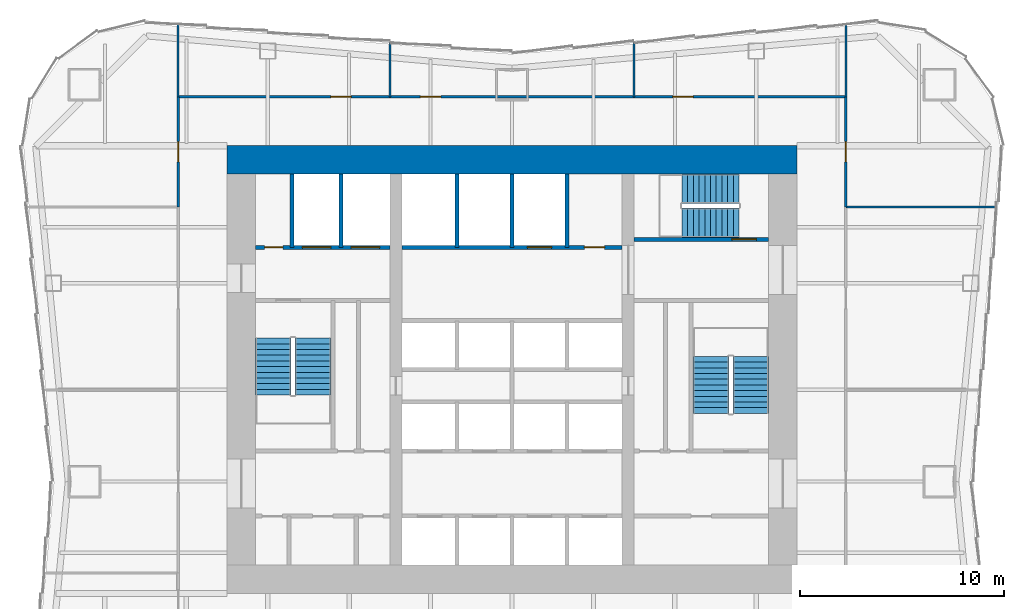
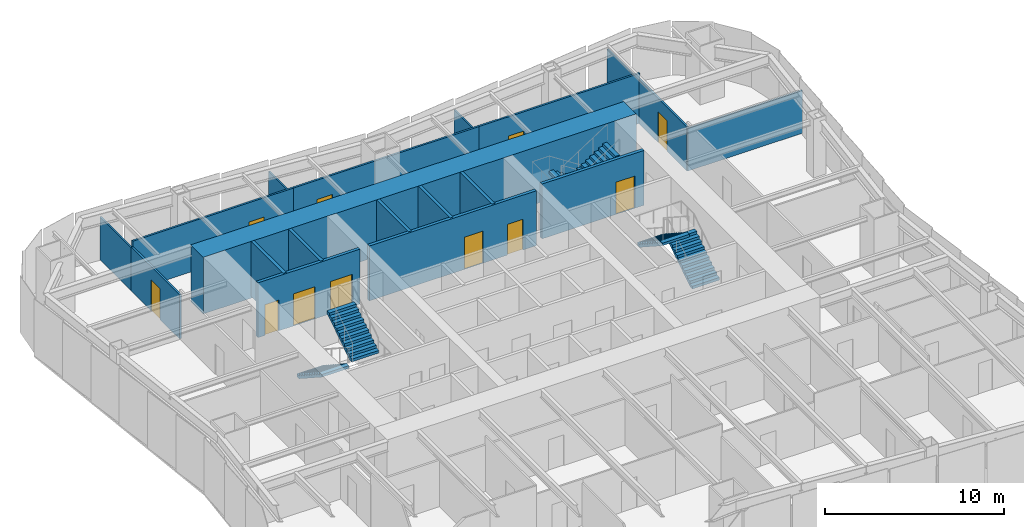
# One storey, part 6 of 7: 19 walls, 11 doors, 6 stair flights, 11 openings, 3 elements without a shape of their own.
"""IFC4 building model written with IfcOpenShell, lengths in metres."""

from ifc_helpers import new_model, si_unit, direction, frame, frame_2d, origin, place, context, subcontext, project, spatial, polyline, rectangle, outline, extrude, material, layer, layer_set, type_object, element, fill, aggregate, save


model = new_model("IFC4")

# Units and contexts
model_context = context("Model", 3, precision=1e-05, world=origin(), true_north=direction((0.0, 1.0)))
body_context = subcontext(model_context, "Body", "Model", "MODEL_VIEW")
ifc_project = project(units=[si_unit("LENGTHUNIT", "METRE"), si_unit("AREAUNIT", "SQUARE_METRE"), si_unit("VOLUMEUNIT", "CUBIC_METRE"), si_unit("PLANEANGLEUNIT", "RADIAN"), si_unit("MASSUNIT", "GRAM", prefix="KILO")], contexts=[model_context])

# Site, building, storey
site_placement = place(None, origin())
site = spatial("IfcSite", under=ifc_project, at=site_placement, CompositionType="ELEMENT")
building_placement = place(site_placement, origin())
building = spatial("IfcBuilding", under=site, at=building_placement, Name="Verdant Reach Tower", CompositionType="ELEMENT")
storey_placement = place(building_placement, frame((0.0, 0.0, 54.0)))
storey = spatial("IfcBuildingStorey", under=building, at=storey_placement, Name="L12", CompositionType="ELEMENT", Elevation=54.0)

# Wall, openings, doors
ifc_material_1 = material(Name="Concrete C40/50", Category="concrete")
ifc_layer_1 = layer(ifc_material_1, 0.199951171875)
ifc_layer_set_1 = layer_set([ifc_layer_1], Name="CO-WALL-SHAFT")
wall_type_1 = type_object("IfcWallType", Name="CO-WALL-SHAFT", PredefinedType="PARTITIONING", material=ifc_layer_set_1)
wall_1_placement = place(storey_placement, frame((-12.60009765625, 34.0, 0.0), z_axis=(0.0, 0.0, 1.0), x_axis=(1.0, 0.0, 0.0)))
wall_1 = element("IfcWall", 1, at=wall_1_placement, inside=storey, type_object=wall_type_1, Name="Lift shaft wall, L12", PredefinedType="PARTITIONING", context=body_context, shape_type="SweptSolid", body=[
    extrude(rectangle(XDim=6.60009765625, YDim=0.199951171875, at=frame_2d((3.300048828125, 0.0))), origin(), (0.0, 0.0, 1.0), 3.75),
])
opening_1_placement = place(wall_1_placement, frame((4.699951171875, 0.0, 0.0)))
opening_1 = element("IfcOpeningElement", 2, at=opening_1_placement, cuts=wall_1, Name="Opening LD-F1", PredefinedType="OPENING", context=body_context, shape_type="SweptSolid", body=[
    extrude(rectangle(XDim=1.39990234375, YDim=2.199951171875, at=frame_2d((0.699951171875, 1.10009765625))), frame((0.0, 0.10986328125, 0.0), z_axis=(0.0, -1.0, 0.0), x_axis=(1.0, 0.0, 0.0)), (0.0, 0.0, 1.0), 0.219970703125),
])
opening_2_placement = place(wall_1_placement, frame((2.300048828125, 0.0, 0.0)))
opening_2 = element("IfcOpeningElement", 3, at=opening_2_placement, cuts=wall_1, Name="Opening LD-F2", PredefinedType="OPENING", context=body_context, shape_type="SweptSolid", body=[
    extrude(rectangle(XDim=1.39990234375, YDim=2.199951171875, at=frame_2d((0.699951171875, 1.10009765625))), frame((0.0, 0.10986328125, 0.0), z_axis=(0.0, -1.0, 0.0), x_axis=(1.0, 0.0, 0.0)), (0.0, 0.0, 1.0), 0.219970703125),
])
opening_3_placement = place(wall_1_placement, frame((0.449951171875, 0.0, 0.0)))
opening_3 = element("IfcOpeningElement", 4, at=opening_3_placement, cuts=wall_1, Name="Opening RD", PredefinedType="OPENING", context=body_context, shape_type="SweptSolid", body=[
    extrude(rectangle(XDim=0.89990234375, YDim=2.10009765625, at=frame_2d((0.449951171875, 1.050048828125))), frame((0.0, 0.10986328125, 0.0), z_axis=(0.0, -1.0, 0.0), x_axis=(1.0, 0.0, 0.0)), (0.0, 0.0, 1.0), 0.219970703125),
])
ifc_material_2 = material(Name="Stainless steel", Category="steel")
door_type_1 = type_object("IfcDoorType", Name="CO-DOOR-LANDING-FF", OperationType="SLIDING_TO_LEFT", PredefinedType="DOOR", material=ifc_material_2)
door_1_placement = place(opening_1_placement, origin())
door_1 = element("IfcDoor", 5, at=door_1_placement, inside=storey, type_object=door_type_1, Name="Landing door F1, L12", OperationType="SLIDING_TO_LEFT", OverallHeight=2.199951171875, OverallWidth=1.39990234375, PredefinedType="DOOR", context=body_context, shape_type="SweptSolid", body=[
    extrude(rectangle(XDim=1.39990234375, YDim=2.199951171875, at=frame_2d((0.699951171875, 1.10009765625))), frame((0.0, 0.02490234375, 0.0), z_axis=(0.0, -1.0, 0.0), x_axis=(1.0, 0.0, 0.0)), (0.0, 0.0, 1.0), 0.050048828125),
])
fill(opening_1, door_1)
door_2_placement = place(opening_2_placement, origin())
door_2 = element("IfcDoor", 6, at=door_2_placement, inside=storey, type_object=door_type_1, Name="Landing door F2, L12", OperationType="SLIDING_TO_LEFT", OverallHeight=2.199951171875, OverallWidth=1.39990234375, PredefinedType="DOOR", context=body_context, shape_type="SweptSolid", body=[
    extrude(rectangle(XDim=1.39990234375, YDim=2.199951171875, at=frame_2d((0.699951171875, 1.10009765625))), frame((0.0, 0.02490234375, 0.0), z_axis=(0.0, -1.0, 0.0), x_axis=(1.0, 0.0, 0.0)), (0.0, 0.0, 1.0), 0.050048828125),
])
fill(opening_2, door_2)
ifc_material_3 = material(Name="Steel", Category="steel")
door_type_2 = type_object("IfcDoorType", Name="CO-DOOR-RISER", OperationType="NOTDEFINED", PredefinedType="DOOR", material=ifc_material_3)
door_3_placement = place(opening_3_placement, origin())
door_3 = element("IfcDoor", 7, at=door_3_placement, inside=storey, type_object=door_type_2, Name="Core room door, L12", OperationType="SINGLE_SWING_RIGHT", OverallHeight=2.10009765625, OverallWidth=0.89990234375, PredefinedType="DOOR", context=body_context, shape_type="SweptSolid", body=[
    extrude(rectangle(XDim=0.89990234375, YDim=2.10009765625, at=frame_2d((0.449951171875, 1.050048828125))), frame((0.0, 0.02490234375, 0.0), z_axis=(0.0, -1.0, 0.0), x_axis=(1.0, 0.0, 0.0)), (0.0, 0.0, 1.0), 0.050048828125),
])
fill(opening_3, door_3)

wall_2_placement = place(storey_placement, frame((-5.39990234375, 34.0, 0.0), z_axis=(0.0, 0.0, 1.0), x_axis=(1.0, 0.0, 0.0)))
wall_2 = element("IfcWall", 8, at=wall_2_placement, inside=storey, type_object=wall_type_1, Name="Lift shaft wall, L12", PredefinedType="PARTITIONING", context=body_context, shape_type="SweptSolid", body=[
    extrude(rectangle(XDim=10.7998046875, YDim=0.199951171875, at=frame_2d((5.39990234375, 0.0))), origin(), (0.0, 0.0, 1.0), 3.75),
])
opening_4_placement = place(wall_2_placement, frame((6.14990234375, 0.0, 0.0)))
opening_4 = element("IfcOpeningElement", 9, at=opening_4_placement, cuts=wall_2, Name="Opening LD-SL1", PredefinedType="OPENING", context=body_context, shape_type="SweptSolid", body=[
    extrude(rectangle(XDim=1.199951171875, YDim=2.199951171875, at=frame_2d((0.60009765625, 1.10009765625))), frame((0.0, 0.10986328125, 0.0), z_axis=(0.0, -1.0, 0.0), x_axis=(1.0, 0.0, 0.0)), (0.0, 0.0, 1.0), 0.219970703125),
])
opening_5_placement = place(wall_2_placement, frame((8.949951171875, 0.0, 0.0)))
opening_5 = element("IfcOpeningElement", 10, at=opening_5_placement, cuts=wall_2, Name="Opening CD", PredefinedType="OPENING", context=body_context, shape_type="SweptSolid", body=[
    extrude(rectangle(XDim=1.0, YDim=2.10009765625, at=frame_2d((0.5, 1.050048828125))), frame((0.0, 0.10986328125, 0.0), z_axis=(0.0, -1.0, 0.0), x_axis=(1.0, 0.0, 0.0)), (0.0, 0.0, 1.0), 0.219970703125),
])
door_type_3 = type_object("IfcDoorType", Name="CO-DOOR-LANDING", OperationType="SLIDING_TO_LEFT", PredefinedType="DOOR", material=ifc_material_2)
door_4_placement = place(opening_4_placement, origin())
door_4 = element("IfcDoor", 11, at=door_4_placement, inside=storey, type_object=door_type_3, Name="Landing door SL1, L12", OperationType="SLIDING_TO_LEFT", OverallHeight=2.199951171875, OverallWidth=1.199951171875, PredefinedType="DOOR", context=body_context, shape_type="SweptSolid", body=[
    extrude(rectangle(XDim=1.199951171875, YDim=2.199951171875, at=frame_2d((0.60009765625, 1.10009765625))), frame((0.0, 0.02490234375, 0.0), z_axis=(0.0, -1.0, 0.0), x_axis=(1.0, 0.0, 0.0)), (0.0, 0.0, 1.0), 0.050048828125),
])
fill(opening_4, door_4)
ifc_material_4 = material(Name="Timber", Category="wood")
door_type_4 = type_object("IfcDoorType", Name="CO-DOOR-ROOM", OperationType="NOTDEFINED", PredefinedType="DOOR", material=ifc_material_4)
door_5_placement = place(opening_5_placement, origin())
door_5 = element("IfcDoor", 12, at=door_5_placement, inside=storey, type_object=door_type_4, Name="Core room door, L12", OperationType="SINGLE_SWING_LEFT", OverallHeight=2.10009765625, OverallWidth=1.0, PredefinedType="DOOR", context=body_context, shape_type="SweptSolid", body=[
    extrude(rectangle(XDim=1.0, YDim=2.10009765625, at=frame_2d((0.5, 1.050048828125))), frame((0.0, 0.02490234375, 0.0), z_axis=(0.0, -1.0, 0.0), x_axis=(1.0, 0.0, 0.0)), (0.0, 0.0, 1.0), 0.050048828125),
])
fill(opening_5, door_5)

# Walls
for number, where, z_axis, x_axis, name in (
    (13, (-10.800048828125, 34.0, 0.0), (0.0, 0.0, 1.0), (0.0, 1.0, 0.0), "Lift shaft wall, L12"),
    (14, (-8.39990234375, 34.0, 0.0), (0.0, 0.0, 1.0), (0.0, 1.0, 0.0), "Lift shaft wall, L12"),
    (15, (-2.699951171875, 34.0, 0.0), (0.0, 0.0, 1.0), (0.0, 1.0, 0.0), "Lift shaft wall, L12"),
    (16, (0.0, 34.0, 0.0), (0.0, 0.0, 1.0), (0.0, 1.0, 0.0), "Lift shaft wall, L12"),
    (17, (2.699951171875, 34.0, 0.0), (0.0, 0.0, 1.0), (0.0, 1.0, 0.0), "Lift shaft wall, L12"),
):
    element("IfcWall", number, at=place(storey_placement, frame(where, z_axis=z_axis, x_axis=x_axis)), inside=storey, type_object=wall_type_1, Name=name, PredefinedType="PARTITIONING", context=body_context, shape_type="SweptSolid", body=[
        extrude(rectangle(XDim=3.60009765625, YDim=0.199951171875, at=frame_2d((1.800048828125, 0.0))), origin(), (0.0, 0.0, 1.0), 3.75),
    ])

# Wall, opening, door
ifc_layer_2 = layer(ifc_material_1, 0.199951171875)
ifc_layer_set_2 = layer_set([ifc_layer_2], Name="CO-WALL-STAIR")
wall_type_2 = type_object("IfcWallType", Name="CO-WALL-STAIR", PredefinedType="PARTITIONING", material=ifc_layer_set_2)
wall_3_placement = place(storey_placement, frame((6.0, 34.39990234375, 0.0), z_axis=(0.0, 0.0, 1.0), x_axis=(1.0, 0.0, 0.0)))
wall_3 = element("IfcWall", 18, at=wall_3_placement, inside=storey, type_object=wall_type_2, Name="Stair enclosure wall, L12", PredefinedType="PARTITIONING", context=body_context, shape_type="SweptSolid", body=[
    extrude(rectangle(XDim=6.60009765625, YDim=0.199951171875, at=frame_2d((3.300048828125, 0.0))), origin(), (0.0, 0.0, 1.0), 3.75),
])
opening_6_placement = place(wall_3_placement, frame((4.800048828125, 0.0, 0.0)))
opening_6 = element("IfcOpeningElement", 19, at=opening_6_placement, cuts=wall_3, Name="Opening SD", PredefinedType="OPENING", context=body_context, shape_type="SweptSolid", body=[
    extrude(rectangle(XDim=1.199951171875, YDim=2.199951171875, at=frame_2d((0.60009765625, 1.10009765625))), frame((0.0, 0.10986328125, 0.0), z_axis=(0.0, -1.0, 0.0), x_axis=(1.0, 0.0, 0.0)), (0.0, 0.0, 1.0), 0.219970703125),
])
door_type_5 = type_object("IfcDoorType", Name="CO-DOOR-STAIR", OperationType="NOTDEFINED", PredefinedType="DOOR", material=ifc_material_3)
door_6_placement = place(opening_6_placement, origin())
door_6 = element("IfcDoor", 20, at=door_6_placement, inside=storey, type_object=door_type_5, Name="Stair door, L12", OperationType="SINGLE_SWING_LEFT", OverallHeight=2.199951171875, OverallWidth=1.199951171875, PredefinedType="DOOR", context=body_context, shape_type="SweptSolid", body=[
    extrude(rectangle(XDim=1.199951171875, YDim=2.199951171875, at=frame_2d((0.60009765625, 1.10009765625))), frame((0.0, 0.02490234375, 0.0), z_axis=(0.0, -1.0, 0.0), x_axis=(1.0, 0.0, 0.0)), (0.0, 0.0, 1.0), 0.050048828125),
])
fill(opening_6, door_6)

# Walls
ifc_material_5 = material(Name="Gypsum board on steel studs", Category="steel")
ifc_layer_3 = layer(ifc_material_5, 0.10009765625)
ifc_layer_set_3 = layer_set([ifc_layer_3], Name="FL-W1 Partition 100")
wall_type_3 = type_object("IfcWallType", Name="FL-W1 Partition 100", PredefinedType="PARTITIONING", material=ifc_layer_set_3)
wall_4_placement = place(storey_placement, frame((-6.0, 41.39990234375, 0.0), z_axis=(0.0, 0.0, 1.0), x_axis=(0.0, 1.0, 0.0)))
element("IfcWall", 21, at=wall_4_placement, inside=storey, type_object=wall_type_3, Name="Partition 12.42", PredefinedType="PARTITIONING", context=body_context, shape_type="SweptSolid", body=[
    extrude(rectangle(XDim=2.68017578125, YDim=0.10009765625, at=frame_2d((1.340087890625, 0.0))), origin(), (0.0, 0.0, 1.0), 2.919921875),
])
wall_5_placement = place(storey_placement, frame((-16.39990234375, 44.94677734375, 0.0), z_axis=(0.0, 0.0, 1.0), x_axis=(0.0, -1.0, 0.0)))
element("IfcWall", 22, at=wall_5_placement, inside=storey, type_object=wall_type_3, Name="Partition 12.43", PredefinedType="PARTITIONING", context=body_context, shape_type="SweptSolid", body=[
    extrude(rectangle(XDim=3.55078125, YDim=0.10009765625, at=frame_2d((1.775390625, 0.0))), origin(), (0.0, 0.0, 1.0), 2.919921875),
])
wall_6_placement = place(storey_placement, frame((6.0, 41.39990234375, 0.0), z_axis=(0.0, 0.0, 1.0), x_axis=(0.0, 1.0, 0.0)))
element("IfcWall", 23, at=wall_6_placement, inside=storey, type_object=wall_type_3, Name="Partition 12.44", PredefinedType="PARTITIONING", context=body_context, shape_type="SweptSolid", body=[
    extrude(rectangle(XDim=2.68017578125, YDim=0.10009765625, at=frame_2d((1.340087890625, 0.0))), origin(), (0.0, 0.0, 1.0), 2.919921875),
])
wall_7_placement = place(storey_placement, frame((16.39990234375, 41.39599609375, 0.0), z_axis=(0.0, 0.0, 1.0), x_axis=(0.0, 1.0, 0.0)))
element("IfcWall", 24, at=wall_7_placement, inside=storey, type_object=wall_type_3, Name="Partition 12.45", PredefinedType="PARTITIONING", context=body_context, shape_type="SweptSolid", body=[
    extrude(rectangle(XDim=3.55078125, YDim=0.10009765625, at=frame_2d((1.775390625, 0.0))), origin(), (0.0, 0.0, 1.0), 2.919921875),
])
wall_8_placement = place(storey_placement, frame((23.807373046875, 36.0, 0.0), z_axis=(0.0, 0.0, 1.0), x_axis=(-1.0, 0.0, 0.0)))
element("IfcWall", 25, at=wall_8_placement, inside=storey, type_object=wall_type_3, Name="Partition 12.54", PredefinedType="PARTITIONING", context=body_context, shape_type="SweptSolid", body=[
    extrude(rectangle(XDim=7.407470703125, YDim=0.10009765625, at=frame_2d((3.70361328125, 0.0))), origin(), (0.0, 0.0, 1.0), 2.919921875),
])

# Wall, opening, door
ifc_material_6 = material(Name="Gypsum board on steel studs, fire rated", Category="steel")
ifc_layer_4 = layer(ifc_material_6, 0.125)
ifc_layer_set_4 = layer_set([ifc_layer_4], Name="FL-W2 Corridor wall 125")
wall_type_4 = type_object("IfcWallType", Name="FL-W2 Corridor wall 125", PredefinedType="PARTITIONING", material=ifc_layer_set_4)
wall_9_placement = place(storey_placement, frame((-16.39990234375, 41.39990234375, 0.0), z_axis=(0.0, 0.0, 1.0), x_axis=(1.0, 0.0, 0.0)))
wall_9 = element("IfcWall", 26, at=wall_9_placement, inside=storey, type_object=wall_type_4, Name="Partition 12.08", PredefinedType="PARTITIONING", context=body_context, shape_type="SweptSolid", body=[
    extrude(rectangle(XDim=10.39990234375, YDim=0.125, at=frame_2d((5.199951171875, 0.0))), origin(), (0.0, 0.0, 1.0), 3.419921875),
])
opening_7_placement = place(wall_9_placement, frame((7.5, 0.0, 0.0)))
opening_7 = element("IfcOpeningElement", 27, at=opening_7_placement, cuts=wall_9, Name="Opening D2", PredefinedType="OPENING", context=body_context, shape_type="SweptSolid", body=[
    extrude(rectangle(XDim=1.0, YDim=2.10009765625, at=frame_2d((0.5, 1.050048828125))), frame((0.0, 0.072509765625, 0.0), z_axis=(0.0, -1.0, 0.0), x_axis=(1.0, 0.0, 0.0)), (0.0, 0.0, 1.0), 0.14501953125),
])
ifc_material_7 = material(Name="Timber door leaf, fire rated", Category="wood")
door_type_6 = type_object("IfcDoorType", Name="FL-D2 Entrance door 1000x2100 FD30", OperationType="NOTDEFINED", PredefinedType="DOOR", material=ifc_material_7)
door_7_placement = place(opening_7_placement, origin())
door_7 = element("IfcDoor", 28, at=door_7_placement, inside=storey, type_object=door_type_6, Name="Door 12-006", OperationType="SINGLE_SWING_RIGHT", OverallHeight=2.10009765625, OverallWidth=1.0, PredefinedType="DOOR", context=body_context, shape_type="SweptSolid", body=[
    extrude(rectangle(XDim=1.0, YDim=2.10009765625, at=frame_2d((0.5, 1.050048828125))), frame((0.0, 0.02490234375, 0.0), z_axis=(0.0, -1.0, 0.0), x_axis=(1.0, 0.0, 0.0)), (0.0, 0.0, 1.0), 0.050048828125),
])
fill(opening_7, door_7)

wall_10_placement = place(storey_placement, frame((-6.0, 41.39990234375, 0.0), z_axis=(0.0, 0.0, 1.0), x_axis=(1.0, 0.0, 0.0)))
wall_10 = element("IfcWall", 29, at=wall_10_placement, inside=storey, type_object=wall_type_4, Name="Partition 12.09", PredefinedType="PARTITIONING", context=body_context, shape_type="SweptSolid", body=[
    extrude(rectangle(XDim=12.0, YDim=0.125, at=frame_2d((6.0, 0.0))), origin(), (0.0, 0.0, 1.0), 3.419921875),
])
opening_8_placement = place(wall_10_placement, frame((1.5, 0.0, 0.0)))
opening_8 = element("IfcOpeningElement", 30, at=opening_8_placement, cuts=wall_10, Name="Opening D2", PredefinedType="OPENING", context=body_context, shape_type="SweptSolid", body=[
    extrude(rectangle(XDim=1.0, YDim=2.10009765625, at=frame_2d((0.5, 1.050048828125))), frame((0.0, 0.072509765625, 0.0), z_axis=(0.0, -1.0, 0.0), x_axis=(1.0, 0.0, 0.0)), (0.0, 0.0, 1.0), 0.14501953125),
])
door_8_placement = place(opening_8_placement, origin())
door_8 = element("IfcDoor", 31, at=door_8_placement, inside=storey, type_object=door_type_6, Name="Door 12-007", OperationType="SINGLE_SWING_LEFT", OverallHeight=2.10009765625, OverallWidth=1.0, PredefinedType="DOOR", context=body_context, shape_type="SweptSolid", body=[
    extrude(rectangle(XDim=1.0, YDim=2.10009765625, at=frame_2d((0.5, 1.050048828125))), frame((0.0, 0.02490234375, 0.0), z_axis=(0.0, -1.0, 0.0), x_axis=(1.0, 0.0, 0.0)), (0.0, 0.0, 1.0), 0.050048828125),
])
fill(opening_8, door_8)

wall_11_placement = place(storey_placement, frame((6.0, 41.39990234375, 0.0), z_axis=(0.0, 0.0, 1.0), x_axis=(1.0, 0.0, 0.0)))
wall_11 = element("IfcWall", 32, at=wall_11_placement, inside=storey, type_object=wall_type_4, Name="Partition 12.10", PredefinedType="PARTITIONING", context=body_context, shape_type="SweptSolid", body=[
    extrude(rectangle(XDim=10.39990234375, YDim=0.125, at=frame_2d((5.199951171875, 0.0))), origin(), (0.0, 0.0, 1.0), 3.419921875),
])
opening_9_placement = place(wall_11_placement, frame((1.89990234375, 0.0, 0.0)))
opening_9 = element("IfcOpeningElement", 33, at=opening_9_placement, cuts=wall_11, Name="Opening D2", PredefinedType="OPENING", context=body_context, shape_type="SweptSolid", body=[
    extrude(rectangle(XDim=1.0, YDim=2.10009765625, at=frame_2d((0.5, 1.050048828125))), frame((0.0, 0.072509765625, 0.0), z_axis=(0.0, -1.0, 0.0), x_axis=(1.0, 0.0, 0.0)), (0.0, 0.0, 1.0), 0.14501953125),
])
door_9_placement = place(opening_9_placement, origin())
door_9 = element("IfcDoor", 34, at=door_9_placement, inside=storey, type_object=door_type_6, Name="Door 12-008", OperationType="SINGLE_SWING_LEFT", OverallHeight=2.10009765625, OverallWidth=1.0, PredefinedType="DOOR", context=body_context, shape_type="SweptSolid", body=[
    extrude(rectangle(XDim=1.0, YDim=2.10009765625, at=frame_2d((0.5, 1.050048828125))), frame((0.0, 0.02490234375, 0.0), z_axis=(0.0, -1.0, 0.0), x_axis=(1.0, 0.0, 0.0)), (0.0, 0.0, 1.0), 0.050048828125),
])
fill(opening_9, door_9)

wall_12_placement = place(storey_placement, frame((-16.39990234375, 36.0, 0.0), z_axis=(0.0, 0.0, 1.0), x_axis=(0.0, 1.0, 0.0)))
wall_12 = element("IfcWall", 35, at=wall_12_placement, inside=storey, type_object=wall_type_4, Name="Partition 12.14", PredefinedType="PARTITIONING", context=body_context, shape_type="SweptSolid", body=[
    extrude(rectangle(XDim=5.404052734375, YDim=0.125, at=frame_2d((2.7021484375, 0.0))), origin(), (0.0, 0.0, 1.0), 3.02001953125),
])
opening_10_placement = place(wall_12_placement, frame((2.201904296875, 0.0, 0.0)))
opening_10 = element("IfcOpeningElement", 36, at=opening_10_placement, cuts=wall_12, Name="Opening D2", PredefinedType="OPENING", context=body_context, shape_type="SweptSolid", body=[
    extrude(rectangle(XDim=1.0, YDim=2.10009765625, at=frame_2d((0.5, 1.050048828125))), frame((0.0, 0.072509765625, 0.0), z_axis=(0.0, -1.0, 0.0), x_axis=(1.0, 0.0, 0.0)), (0.0, 0.0, 1.0), 0.14501953125),
])
door_10_placement = place(opening_10_placement, origin())
door_10 = element("IfcDoor", 37, at=door_10_placement, inside=storey, type_object=door_type_6, Name="Door 12-012", OperationType="SINGLE_SWING_RIGHT", OverallHeight=2.10009765625, OverallWidth=1.0, PredefinedType="DOOR", context=body_context, shape_type="SweptSolid", body=[
    extrude(rectangle(XDim=1.0, YDim=2.10009765625, at=frame_2d((0.5, 1.050048828125))), frame((0.0, 0.02490234375, 0.0), z_axis=(0.0, -1.0, 0.0), x_axis=(1.0, 0.0, 0.0)), (0.0, 0.0, 1.0), 0.050048828125),
])
fill(opening_10, door_10)

wall_13_placement = place(storey_placement, frame((16.39990234375, 41.404052734375, 0.0), z_axis=(0.0, 0.0, 1.0), x_axis=(0.0, -1.0, 0.0)))
wall_13 = element("IfcWall", 38, at=wall_13_placement, inside=storey, type_object=wall_type_4, Name="Partition 12.19", PredefinedType="PARTITIONING", context=body_context, shape_type="SweptSolid", body=[
    extrude(rectangle(XDim=5.404052734375, YDim=0.125, at=frame_2d((2.7021484375, 0.0))), origin(), (0.0, 0.0, 1.0), 3.02001953125),
])
opening_11_placement = place(wall_13_placement, frame((2.201904296875, 0.0, 0.0)))
opening_11 = element("IfcOpeningElement", 39, at=opening_11_placement, cuts=wall_13, Name="Opening D2", PredefinedType="OPENING", context=body_context, shape_type="SweptSolid", body=[
    extrude(rectangle(XDim=1.0, YDim=2.10009765625, at=frame_2d((0.5, 1.050048828125))), frame((0.0, 0.072509765625, 0.0), z_axis=(0.0, -1.0, 0.0), x_axis=(1.0, 0.0, 0.0)), (0.0, 0.0, 1.0), 0.14501953125),
])
door_11_placement = place(opening_11_placement, origin())
door_11 = element("IfcDoor", 40, at=door_11_placement, inside=storey, type_object=door_type_6, Name="Door 12-016", OperationType="SINGLE_SWING_RIGHT", OverallHeight=2.10009765625, OverallWidth=1.0, PredefinedType="DOOR", context=body_context, shape_type="SweptSolid", body=[
    extrude(rectangle(XDim=1.0, YDim=2.10009765625, at=frame_2d((0.5, 1.050048828125))), frame((0.0, 0.02490234375, 0.0), z_axis=(0.0, -1.0, 0.0), x_axis=(1.0, 0.0, 0.0)), (0.0, 0.0, 1.0), 0.050048828125),
])
fill(opening_11, door_11)

# Wall
ifc_material_8 = material(Name="Concrete C70/85", Category="concrete")
ifc_layer_5 = layer(ifc_material_8, 1.39990234375)
ifc_layer_set_5 = layer_set([ifc_layer_5], Name="ST-CORE-WALL-1400")
wall_type_5 = type_object("IfcWallType", Name="ST-CORE-WALL-1400", PredefinedType="SHEAR", material=ifc_layer_set_5)
wall_14_placement = place(storey_placement, frame((-14.0, 38.300048828125, -0.1298828125), z_axis=(0.0, 0.0, 1.0), x_axis=(1.0, 0.0, 0.0)))
element("IfcWall", 41, at=wall_14_placement, inside=storey, type_object=wall_type_5, Name="Core wall N, L12", PredefinedType="SHEAR", context=body_context, shape_type="SweptSolid", body=[
    extrude(rectangle(XDim=28.0, YDim=1.39990234375, at=frame_2d((14.0, 0.0))), origin(), (0.0, 0.0, 1.0), 3.8798828125),
])

# Stair, stair flights
stair_type = type_object("IfcStairType", Name="CO-STAIR", PredefinedType="HALF_TURN_STAIR", material=ifc_material_1)
stair_1_placement = place(storey_placement, origin())
stair_1 = element("IfcStair", 42, at=stair_1_placement, inside=storey, type_object=stair_type, Name="L12 Exit stair 1", PredefinedType="HALF_TURN_STAIR")
stair_flight_type = type_object("IfcStairFlightType", Name="CO-STAIR-FLIGHT", PredefinedType="STRAIGHT", material=ifc_material_1)
stair_flight_1_placement = place(storey_placement, frame((-11.72509765625, 29.550048828125, 0.0), z_axis=(0.0, 0.0, 1.0), x_axis=(0.0, -1.0, 0.0)))
stair_flight_1 = element("IfcStairFlight", 43, at=stair_flight_1_placement, type_object=stair_flight_type, Name="ST-1 flight 1", NumberOfRisers=11, NumberOfTreads=10, PredefinedType="STRAIGHT", RiserHeight=0.181818182, TreadLength=0.28, context=body_context, shape_type="SweptSolid", body=[
    extrude(outline(polyline([(0.0, 0.0), (0.0, 0.181884765625), (0.280029296875, 0.181884765625), (0.280029296875, 0.363525390625), (0.56005859375, 0.363525390625), (0.56005859375, 0.54541015625), (0.840087890625, 0.54541015625), (0.840087890625, 0.727294921875), (1.1201171875, 0.727294921875), (1.1201171875, 0.9091796875), (1.39990234375, 0.9091796875), (1.39990234375, 1.0908203125), (1.679931640625, 1.0908203125), (1.679931640625, 1.272705078125), (1.9599609375, 1.272705078125), (1.9599609375, 1.45458984375), (2.239990234375, 1.45458984375), (2.239990234375, 1.636474609375), (2.52001953125, 1.636474609375), (2.52001953125, 1.818115234375), (2.800048828125, 1.818115234375), (2.800048828125, 2.0), (2.800048828125, 1.639404296875), (0.275146484375, 0.0), (0.0, 0.0)])), frame((0.0, 0.875, 0.0), z_axis=(0.0, -1.0, 0.0), x_axis=(1.0, 0.0, 0.0)), (0.0, 0.0, 1.0), 1.75),
])
stair_flight_2_placement = place(storey_placement, frame((-9.77490234375, 26.75, 2.0), z_axis=(0.0, 0.0, 1.0), x_axis=(0.0, 1.0, 0.0)))
stair_flight_2 = element("IfcStairFlight", 44, at=stair_flight_2_placement, type_object=stair_flight_type, Name="ST-1 flight 2", NumberOfRisers=11, NumberOfTreads=10, PredefinedType="STRAIGHT", RiserHeight=0.181818182, TreadLength=0.28, context=body_context, shape_type="SweptSolid", body=[
    extrude(outline(polyline([(0.0, 0.0), (0.0, 0.181884765625), (0.280029296875, 0.181884765625), (0.280029296875, 0.363525390625), (0.56005859375, 0.363525390625), (0.56005859375, 0.54541015625), (0.840087890625, 0.54541015625), (0.840087890625, 0.727294921875), (1.1201171875, 0.727294921875), (1.1201171875, 0.9091796875), (1.39990234375, 0.9091796875), (1.39990234375, 1.0908203125), (1.679931640625, 1.0908203125), (1.679931640625, 1.272705078125), (1.9599609375, 1.272705078125), (1.9599609375, 1.45458984375), (2.239990234375, 1.45458984375), (2.239990234375, 1.636474609375), (2.52001953125, 1.636474609375), (2.52001953125, 1.818115234375), (2.800048828125, 1.818115234375), (2.800048828125, 2.0), (2.800048828125, 1.639404296875), (0.275146484375, 0.0), (0.0, 0.0)])), frame((0.0, 0.875, 0.0), z_axis=(0.0, -1.0, 0.0), x_axis=(1.0, 0.0, 0.0)), (0.0, 0.0, 1.0), 1.75),
])
aggregate(stair_1, [stair_flight_1, stair_flight_2])

stair_2_placement = place(storey_placement, origin())
stair_2 = element("IfcStair", 45, at=stair_2_placement, inside=storey, type_object=stair_type, Name="L12 Exit stair 2", PredefinedType="HALF_TURN_STAIR")
stair_flight_3_placement = place(storey_placement, frame((11.72509765625, 25.85009765625, 0.0), z_axis=(0.0, 0.0, 1.0), x_axis=(0.0, 1.0, 0.0)))
stair_flight_3 = element("IfcStairFlight", 46, at=stair_flight_3_placement, type_object=stair_flight_type, Name="ST-2 flight 1", NumberOfRisers=11, NumberOfTreads=10, PredefinedType="STRAIGHT", RiserHeight=0.181818182, TreadLength=0.28, context=body_context, shape_type="SweptSolid", body=[
    extrude(outline(polyline([(0.0, 0.0), (0.0, 0.181884765625), (0.280029296875, 0.181884765625), (0.280029296875, 0.363525390625), (0.56005859375, 0.363525390625), (0.56005859375, 0.54541015625), (0.840087890625, 0.54541015625), (0.840087890625, 0.727294921875), (1.1201171875, 0.727294921875), (1.1201171875, 0.9091796875), (1.39990234375, 0.9091796875), (1.39990234375, 1.0908203125), (1.679931640625, 1.0908203125), (1.679931640625, 1.272705078125), (1.9599609375, 1.272705078125), (1.9599609375, 1.45458984375), (2.239990234375, 1.45458984375), (2.239990234375, 1.636474609375), (2.52001953125, 1.636474609375), (2.52001953125, 1.818115234375), (2.800048828125, 1.818115234375), (2.800048828125, 2.0), (2.800048828125, 1.639404296875), (0.275146484375, 0.0), (0.0, 0.0)])), frame((0.0, 0.875, 0.0), z_axis=(0.0, -1.0, 0.0), x_axis=(1.0, 0.0, 0.0)), (0.0, 0.0, 1.0), 1.75),
])
stair_flight_4_placement = place(storey_placement, frame((9.77490234375, 28.64990234375, 2.0), z_axis=(0.0, 0.0, 1.0), x_axis=(0.0, -1.0, 0.0)))
stair_flight_4 = element("IfcStairFlight", 47, at=stair_flight_4_placement, type_object=stair_flight_type, Name="ST-2 flight 2", NumberOfRisers=11, NumberOfTreads=10, PredefinedType="STRAIGHT", RiserHeight=0.181818182, TreadLength=0.28, context=body_context, shape_type="SweptSolid", body=[
    extrude(outline(polyline([(0.0, 0.0), (0.0, 0.181884765625), (0.280029296875, 0.181884765625), (0.280029296875, 0.363525390625), (0.56005859375, 0.363525390625), (0.56005859375, 0.54541015625), (0.840087890625, 0.54541015625), (0.840087890625, 0.727294921875), (1.1201171875, 0.727294921875), (1.1201171875, 0.9091796875), (1.39990234375, 0.9091796875), (1.39990234375, 1.0908203125), (1.679931640625, 1.0908203125), (1.679931640625, 1.272705078125), (1.9599609375, 1.272705078125), (1.9599609375, 1.45458984375), (2.239990234375, 1.45458984375), (2.239990234375, 1.636474609375), (2.52001953125, 1.636474609375), (2.52001953125, 1.818115234375), (2.800048828125, 1.818115234375), (2.800048828125, 2.0), (2.800048828125, 1.639404296875), (0.275146484375, 0.0), (0.0, 0.0)])), frame((0.0, 0.875, 0.0), z_axis=(0.0, -1.0, 0.0), x_axis=(1.0, 0.0, 0.0)), (0.0, 0.0, 1.0), 1.75),
])
aggregate(stair_2, [stair_flight_3, stair_flight_4])

stair_3_placement = place(storey_placement, origin())
stair_3 = element("IfcStair", 48, at=stair_3_placement, inside=storey, type_object=stair_type, Name="L12 Exit stair 3", PredefinedType="HALF_TURN_STAIR")
stair_flight_5_placement = place(storey_placement, frame((11.14990234375, 36.875, 0.0), z_axis=(0.0, 0.0, 1.0), x_axis=(-1.0, 0.0, 0.0)))
stair_flight_5 = element("IfcStairFlight", 49, at=stair_flight_5_placement, type_object=stair_flight_type, Name="ST-3 flight 1", NumberOfRisers=11, NumberOfTreads=10, PredefinedType="STRAIGHT", RiserHeight=0.181818182, TreadLength=0.28, context=body_context, shape_type="SweptSolid", body=[
    extrude(outline(polyline([(0.0, 0.0), (0.0, 0.181884765625), (0.280029296875, 0.181884765625), (0.280029296875, 0.363525390625), (0.56005859375, 0.363525390625), (0.56005859375, 0.54541015625), (0.840087890625, 0.54541015625), (0.840087890625, 0.727294921875), (1.1201171875, 0.727294921875), (1.1201171875, 0.9091796875), (1.39990234375, 0.9091796875), (1.39990234375, 1.0908203125), (1.679931640625, 1.0908203125), (1.679931640625, 1.272705078125), (1.9599609375, 1.272705078125), (1.9599609375, 1.45458984375), (2.239990234375, 1.45458984375), (2.239990234375, 1.636474609375), (2.52001953125, 1.636474609375), (2.52001953125, 1.818115234375), (2.800048828125, 1.818115234375), (2.800048828125, 2.0), (2.800048828125, 1.639404296875), (0.275146484375, 0.0), (0.0, 0.0)])), frame((0.0, 0.72509765625, 0.0), z_axis=(0.0, -1.0, 0.0), x_axis=(1.0, 0.0, 0.0)), (0.0, 0.0, 1.0), 1.449951171875),
])
stair_flight_6_placement = place(storey_placement, frame((8.35009765625, 35.22509765625, 2.0), z_axis=(0.0, 0.0, 1.0), x_axis=(1.0, 0.0, 0.0)))
stair_flight_6 = element("IfcStairFlight", 50, at=stair_flight_6_placement, type_object=stair_flight_type, Name="ST-3 flight 2", NumberOfRisers=11, NumberOfTreads=10, PredefinedType="STRAIGHT", RiserHeight=0.181818182, TreadLength=0.28, context=body_context, shape_type="SweptSolid", body=[
    extrude(outline(polyline([(0.0, 0.0), (0.0, 0.181884765625), (0.280029296875, 0.181884765625), (0.280029296875, 0.363525390625), (0.56005859375, 0.363525390625), (0.56005859375, 0.54541015625), (0.840087890625, 0.54541015625), (0.840087890625, 0.727294921875), (1.1201171875, 0.727294921875), (1.1201171875, 0.9091796875), (1.39990234375, 0.9091796875), (1.39990234375, 1.0908203125), (1.679931640625, 1.0908203125), (1.679931640625, 1.272705078125), (1.9599609375, 1.272705078125), (1.9599609375, 1.45458984375), (2.239990234375, 1.45458984375), (2.239990234375, 1.636474609375), (2.52001953125, 1.636474609375), (2.52001953125, 1.818115234375), (2.800048828125, 1.818115234375), (2.800048828125, 2.0), (2.800048828125, 1.639404296875), (0.275146484375, 0.0), (0.0, 0.0)])), frame((0.0, 0.72509765625, 0.0), z_axis=(0.0, -1.0, 0.0), x_axis=(1.0, 0.0, 0.0)), (0.0, 0.0, 1.0), 1.449951171875),
])
aggregate(stair_3, [stair_flight_5, stair_flight_6])

save(model, "model.ifc")
